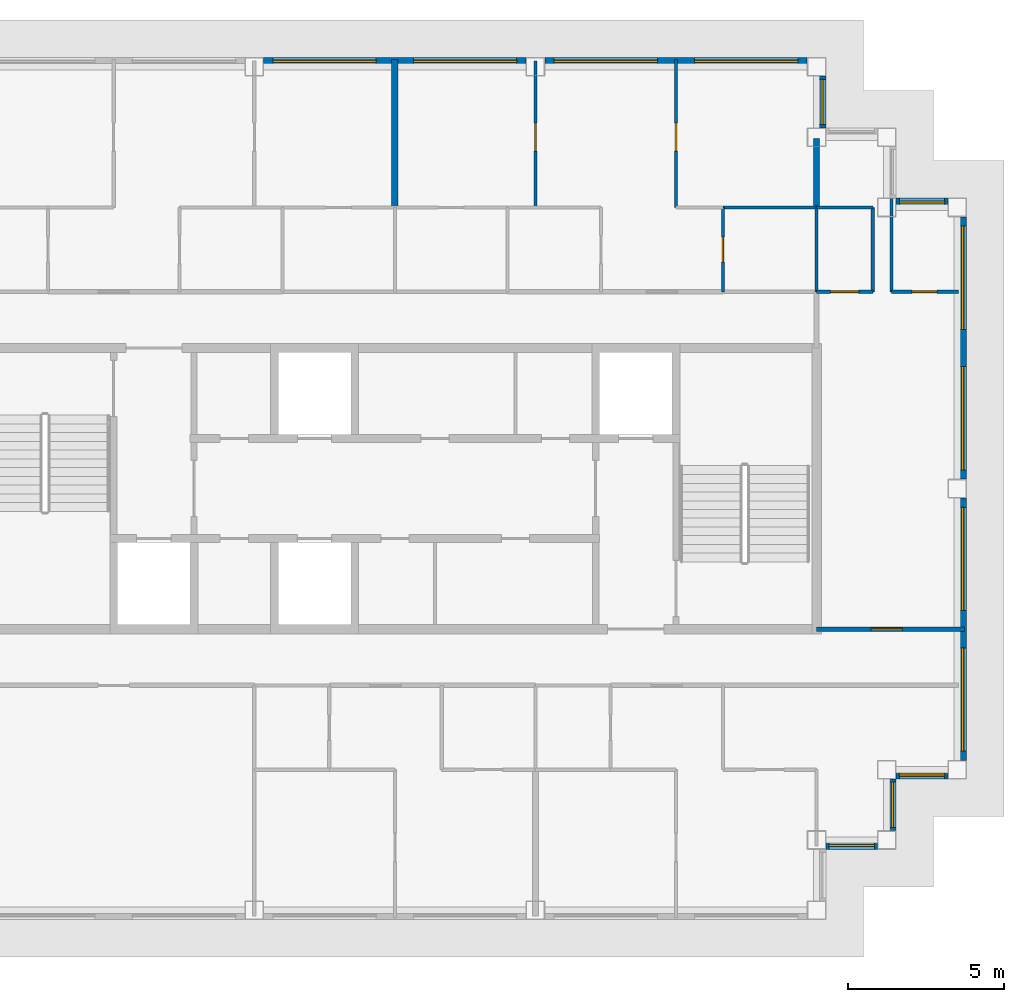
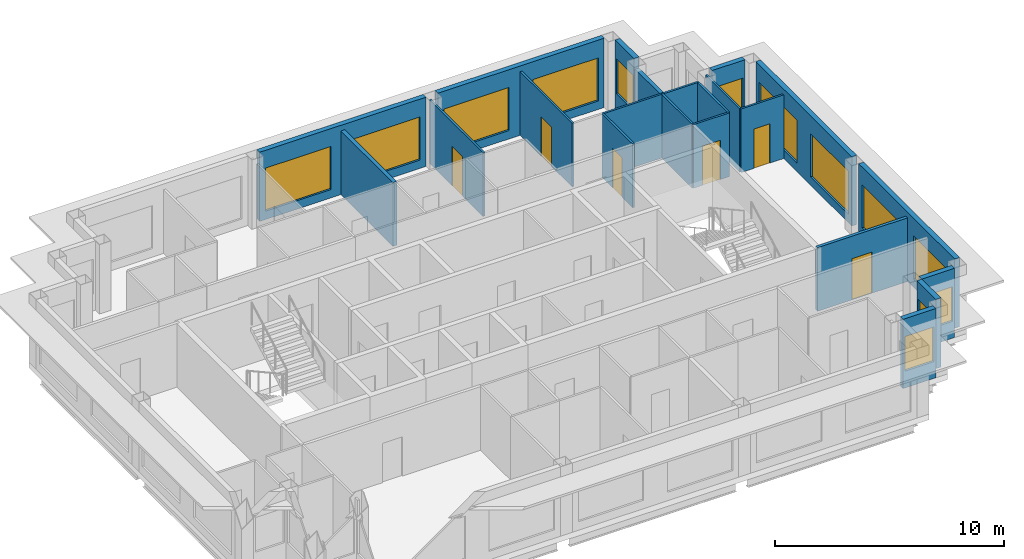
# One storey, part 5 of 11: 22 walls, 13 windows, 6 doors, 19 openings.
"""IFC4 building model written with IfcOpenShell, lengths in metres."""

from ifc_helpers import new_model, si_unit, direction, frame, frame_2d, origin, place, context, subcontext, project, spatial, rectangle, extrude, material, layer, layer_set, type_object, element, fill, save


model = new_model("IFC4")

# Units and contexts
model_context = context("Model", 3, precision=1e-05, world=origin(), true_north=direction((0.0, 1.0)))
body_context = subcontext(model_context, "Body", "Model", "MODEL_VIEW")
ifc_project = project(units=[si_unit("LENGTHUNIT", "METRE"), si_unit("AREAUNIT", "SQUARE_METRE"), si_unit("VOLUMEUNIT", "CUBIC_METRE"), si_unit("PLANEANGLEUNIT", "RADIAN"), si_unit("MASSUNIT", "GRAM", prefix="KILO")], contexts=[model_context])

# Site, building, storey
site_placement = place(None, origin())
site = spatial("IfcSite", under=ifc_project, at=site_placement, CompositionType="ELEMENT")
building_placement = place(site_placement, origin())
building = spatial("IfcBuilding", under=site, at=building_placement, Name="Caravel Reach Hotel and Residences", CompositionType="ELEMENT")
storey_placement = place(building_placement, frame((0.0, 0.0, 287.10009765625)))
storey = spatial("IfcBuildingStorey", under=building, at=storey_placement, Name="L73", CompositionType="ELEMENT", Elevation=287.10009765625)

# Wall, opening, door
ifc_material_1 = material(Name="Gypsum board on steel stud", Category="steel")
ifc_layer_1 = layer(ifc_material_1, 0.10009765625)
ifc_layer_set_1 = layer_set([ifc_layer_1], Name="Bathroom pod wall 100 mm")
wall_type_1 = type_object("IfcWallType", Name="Bathroom pod wall 100 mm", PredefinedType="PARTITIONING", material=ifc_layer_set_1)
wall_1_placement = place(storey_placement, frame((47.39990234375, 33.300048828125, 0.0), z_axis=(0.0, 0.0, 1.0), x_axis=(1.0, 0.0, 0.0)))
wall_1 = element("IfcWall", 1, at=wall_1_placement, inside=storey, type_object=wall_type_1, Name="L73 wall w057", PredefinedType="PARTITIONING", context=body_context, shape_type="SweptSolid", body=[
    extrude(rectangle(XDim=2.150146484375, YDim=0.10009765625, at=frame_2d((1.0751953125, 0.0))), origin(), (0.0, 0.0, 1.0), 3.39990234375),
])
opening_1_placement = place(wall_1_placement, frame((0.64990234375, 0.0, 0.0)))
opening_1 = element("IfcOpeningElement", 2, at=opening_1_placement, cuts=wall_1, Name="Opening D73-042", PredefinedType="OPENING", context=body_context, shape_type="SweptSolid", body=[
    extrude(rectangle(XDim=0.800048828125, YDim=2.10009765625, at=frame_2d((0.39990234375, 1.050048828125))), frame((0.0, 0.06005859375, 0.0), z_axis=(0.0, -1.0, 0.0), x_axis=(1.0, 0.0, 0.0)), (0.0, 0.0, 1.0), 0.1201171875),
])
ifc_material_2 = material(Name="Timber and steel door leaf", Category="steel")
door_type_1 = type_object("IfcDoorType", Name="Bathroom door 800 x 2100", OperationType="SINGLE_SWING_LEFT", PredefinedType="DOOR", material=ifc_material_2)
door_1_placement = place(opening_1_placement, origin())
door_1 = element("IfcDoor", 3, at=door_1_placement, inside=storey, type_object=door_type_1, Name="door D73-042", OperationType="SINGLE_SWING_RIGHT", OverallHeight=2.10009765625, OverallWidth=0.800048828125, PredefinedType="DOOR", context=body_context, shape_type="SweptSolid", body=[
    extrude(rectangle(XDim=0.800048828125, YDim=2.10009765625, at=frame_2d((0.39990234375, 1.050048828125))), frame((0.0, 0.02490234375, 0.0), z_axis=(0.0, -1.0, 0.0), x_axis=(1.0, 0.0, 0.0)), (0.0, 0.0, 1.0), 0.050048828125),
])
fill(opening_1, door_1)

# Wall
wall_2_placement = place(storey_placement, frame((42.0, 36.0, 0.0), z_axis=(0.0, 0.0, 1.0), x_axis=(1.0, 0.0, 0.0)))
element("IfcWall", 4, at=wall_2_placement, inside=storey, type_object=wall_type_1, Name="L73 wall w060", PredefinedType="PARTITIONING", context=body_context, shape_type="SweptSolid", body=[
    extrude(rectangle(XDim=3.0, YDim=0.10009765625, at=frame_2d((1.5, 0.0))), origin(), (0.0, 0.0, 1.0), 3.39990234375),
])

# Wall, opening, door
wall_3_placement = place(storey_placement, frame((42.0, 33.300048828125, 0.0), z_axis=(0.0, 0.0, 1.0), x_axis=(0.0, 1.0, 0.0)))
wall_3 = element("IfcWall", 5, at=wall_3_placement, inside=storey, type_object=wall_type_1, Name="L73 wall w072", PredefinedType="PARTITIONING", context=body_context, shape_type="SweptSolid", body=[
    extrude(rectangle(XDim=2.699951171875, YDim=0.10009765625, at=frame_2d((1.35009765625, 0.0))), origin(), (0.0, 0.0, 1.0), 3.39990234375),
])
opening_2_placement = place(wall_3_placement, frame((0.949951171875, 0.0, 0.0)))
opening_2 = element("IfcOpeningElement", 6, at=opening_2_placement, cuts=wall_3, Name="Opening D73-026", PredefinedType="OPENING", context=body_context, shape_type="SweptSolid", body=[
    extrude(rectangle(XDim=0.800048828125, YDim=2.10009765625, at=frame_2d((0.39990234375, 1.050048828125))), frame((0.0, 0.06005859375, 0.0), z_axis=(0.0, -1.0, 0.0), x_axis=(1.0, 0.0, 0.0)), (0.0, 0.0, 1.0), 0.1201171875),
])
door_2_placement = place(opening_2_placement, origin())
door_2 = element("IfcDoor", 7, at=door_2_placement, inside=storey, type_object=door_type_1, Name="door D73-026", OperationType="SINGLE_SWING_RIGHT", OverallHeight=2.10009765625, OverallWidth=0.800048828125, PredefinedType="DOOR", context=body_context, shape_type="SweptSolid", body=[
    extrude(rectangle(XDim=0.800048828125, YDim=2.10009765625, at=frame_2d((0.39990234375, 1.050048828125))), frame((0.0, 0.02490234375, 0.0), z_axis=(0.0, -1.0, 0.0), x_axis=(1.0, 0.0, 0.0)), (0.0, 0.0, 1.0), 0.050048828125),
])
fill(opening_2, door_2)

# Walls
wall_4_placement = place(storey_placement, frame((45.0, 33.300048828125, 0.0), z_axis=(0.0, 0.0, 1.0), x_axis=(0.0, 1.0, 0.0)))
element("IfcWall", 8, at=wall_4_placement, inside=storey, type_object=wall_type_1, Name="L73 wall w073", PredefinedType="PARTITIONING", context=body_context, shape_type="SweptSolid", body=[
    extrude(rectangle(XDim=2.699951171875, YDim=0.10009765625, at=frame_2d((1.35009765625, 0.0))), origin(), (0.0, 0.0, 1.0), 3.39990234375),
])
wall_5_placement = place(storey_placement, frame((47.39990234375, 33.300048828125, 0.0), z_axis=(0.0, 0.0, 1.0), x_axis=(0.0, 1.0, 0.0)))
element("IfcWall", 9, at=wall_5_placement, inside=storey, type_object=wall_type_1, Name="L73 wall w074", PredefinedType="PARTITIONING", context=body_context, shape_type="SweptSolid", body=[
    extrude(rectangle(XDim=3.0, YDim=0.10009765625, at=frame_2d((1.5, 0.0))), origin(), (0.0, 0.0, 1.0), 3.39990234375),
])

# Wall, opening, door
ifc_material_3 = material(Name="Gypsum board on steel stud, fire-rated", Category="steel")
ifc_layer_2 = layer(ifc_material_3, 0.14990234375)
ifc_layer_set_2 = layer_set([ifc_layer_2], Name="Corridor wall 150 mm EI 60")
wall_type_2 = type_object("IfcWallType", Name="Corridor wall 150 mm EI 60", PredefinedType="PARTITIONING", material=ifc_layer_set_2)
wall_6_placement = place(storey_placement, frame((45.0, 22.5, 0.0), z_axis=(0.0, 0.0, 1.0), x_axis=(1.0, 0.0, 0.0)))
wall_6 = element("IfcWall", 10, at=wall_6_placement, inside=storey, type_object=wall_type_2, Name="L73 wall w007", PredefinedType="PARTITIONING", context=body_context, shape_type="SweptSolid", body=[
    extrude(rectangle(XDim=4.739990234375, YDim=0.14990234375, at=frame_2d((2.3701171875, 0.0))), origin(), (0.0, 0.0, 1.0), 3.39990234375),
])
opening_3_placement = place(wall_6_placement, frame((1.75, 0.0, 0.0)))
opening_3 = element("IfcOpeningElement", 11, at=opening_3_placement, cuts=wall_6, Name="Opening D73-041", PredefinedType="OPENING", context=body_context, shape_type="SweptSolid", body=[
    extrude(rectangle(XDim=1.0, YDim=2.199951171875, at=frame_2d((0.5, 1.10009765625))), frame((0.0, 0.0849609375, 0.0), z_axis=(0.0, -1.0, 0.0), x_axis=(1.0, 0.0, 0.0)), (0.0, 0.0, 1.0), 0.169921875),
])
ifc_material_4 = material(Name="Steel fire door leaf", Category="steel")
door_type_2 = type_object("IfcDoorType", Name="Flat entrance door 1000 x 2200 EI 60", OperationType="SINGLE_SWING_LEFT", PredefinedType="DOOR", material=ifc_material_4)
door_3_placement = place(opening_3_placement, origin())
door_3 = element("IfcDoor", 12, at=door_3_placement, inside=storey, type_object=door_type_2, Name="door D73-041", OperationType="SINGLE_SWING_RIGHT", OverallHeight=2.199951171875, OverallWidth=1.0, PredefinedType="DOOR", context=body_context, shape_type="SweptSolid", body=[
    extrude(rectangle(XDim=1.0, YDim=2.199951171875, at=frame_2d((0.5, 1.10009765625))), frame((0.0, 0.02490234375, 0.0), z_axis=(0.0, -1.0, 0.0), x_axis=(1.0, 0.0, 0.0)), (0.0, 0.0, 1.0), 0.050048828125),
])
fill(opening_3, door_3)

# Wall, opening, window
ifc_material_5 = material(Name="Insulated rainscreen wall, aluminium cladding", Category="aluminium")
ifc_layer_3 = layer(ifc_material_5, 0.25)
ifc_layer_set_3 = layer_set([ifc_layer_3], Name="EW1 Tower rainscreen wall")
wall_type_3 = type_object("IfcWallType", Name="EW1 Tower rainscreen wall", PredefinedType="SOLIDWALL", material=ifc_layer_set_3)
wall_7_placement = place(storey_placement, frame((45.300048828125, 15.574951171875, 0.0), z_axis=(0.0, 0.0, 1.0), x_axis=(1.0, 0.0, 0.0)))
wall_7 = element("IfcWall", 13, at=wall_7_placement, inside=storey, type_object=wall_type_3, Name="External wall L73 S2.1", PredefinedType="SOLIDWALL", context=body_context, shape_type="SweptSolid", body=[
    extrude(rectangle(XDim=1.64990234375, YDim=0.25, at=frame_2d((0.824951171875, 0.0))), origin(), (0.0, 0.0, 1.0), 3.699951171875),
])
opening_4_placement = place(wall_7_placement, frame((0.10009765625, 0.0, 0.89990234375)))
opening_4 = element("IfcOpeningElement", 14, at=opening_4_placement, cuts=wall_7, Name="Opening WN25", PredefinedType="OPENING", context=body_context, shape_type="SweptSolid", body=[
    extrude(rectangle(XDim=1.449951171875, YDim=1.85009765625, at=frame_2d((0.72509765625, 0.925048828125))), frame((0.0, 0.135009765625, 0.0), z_axis=(0.0, -1.0, 0.0), x_axis=(1.0, 0.0, 0.0)), (0.0, 0.0, 1.0), 0.27001953125),
])
ifc_material_6 = material(Name="Dark low-e glazing in black aluminium frame", Category="aluminium")
window_type_1 = type_object("IfcWindowType", Name="Residence bedroom window 1450 x 1850", PartitioningType="SINGLE_PANEL", PredefinedType="WINDOW", material=ifc_material_6)
window_1_placement = place(opening_4_placement, origin())
window_1 = element("IfcWindow", 15, at=window_1_placement, inside=storey, type_object=window_type_1, Name="Window L73 S2.1.1", OverallHeight=1.85009765625, OverallWidth=1.449951171875, PartitioningType="SINGLE_PANEL", PredefinedType="WINDOW", context=body_context, shape_type="SweptSolid", body=[
    extrude(rectangle(XDim=1.449951171875, YDim=1.85009765625, at=frame_2d((0.72509765625, 0.925048828125))), frame((0.0, 0.030029296875, 0.0), z_axis=(0.0, -1.0, 0.0), x_axis=(1.0, 0.0, 0.0)), (0.0, 0.0, 1.0), 0.06005859375),
])
fill(opening_4, window_1)

wall_8_placement = place(storey_placement, frame((47.425048828125, 16.050048828125, 0.0), z_axis=(0.0, 0.0, 1.0), x_axis=(0.0, 1.0, 0.0)))
wall_8 = element("IfcWall", 16, at=wall_8_placement, inside=storey, type_object=wall_type_3, Name="External wall L73 E3.1", PredefinedType="SOLIDWALL", context=body_context, shape_type="SweptSolid", body=[
    extrude(rectangle(XDim=1.64990234375, YDim=0.25, at=frame_2d((0.824951171875, 0.0))), origin(), (0.0, 0.0, 1.0), 3.699951171875),
])
opening_5_placement = place(wall_8_placement, frame((0.10009765625, 0.0, 0.89990234375)))
opening_5 = element("IfcOpeningElement", 17, at=opening_5_placement, cuts=wall_8, Name="Opening WN25", PredefinedType="OPENING", context=body_context, shape_type="SweptSolid", body=[
    extrude(rectangle(XDim=1.449951171875, YDim=1.85009765625, at=frame_2d((0.72509765625, 0.925048828125))), frame((0.0, 0.135009765625, 0.0), z_axis=(0.0, -1.0, 0.0), x_axis=(1.0, 0.0, 0.0)), (0.0, 0.0, 1.0), 0.27001953125),
])
window_2_placement = place(opening_5_placement, origin())
window_2 = element("IfcWindow", 18, at=window_2_placement, inside=storey, type_object=window_type_1, Name="Window L73 E3.1.1", OverallHeight=1.85009765625, OverallWidth=1.449951171875, PartitioningType="SINGLE_PANEL", PredefinedType="WINDOW", context=body_context, shape_type="SweptSolid", body=[
    extrude(rectangle(XDim=1.449951171875, YDim=1.85009765625, at=frame_2d((0.72509765625, 0.925048828125))), frame((0.0, 0.030029296875, 0.0), z_axis=(0.0, -1.0, 0.0), x_axis=(1.0, 0.0, 0.0)), (0.0, 0.0, 1.0), 0.06005859375),
])
fill(opening_5, window_2)

wall_9_placement = place(storey_placement, frame((47.550048828125, 17.824951171875, 0.0), z_axis=(0.0, 0.0, 1.0), x_axis=(1.0, 0.0, 0.0)))
wall_9 = element("IfcWall", 19, at=wall_9_placement, inside=storey, type_object=wall_type_3, Name="External wall L73 S4.1", PredefinedType="SOLIDWALL", context=body_context, shape_type="SweptSolid", body=[
    extrude(rectangle(XDim=1.64990234375, YDim=0.25, at=frame_2d((0.824951171875, 0.0))), origin(), (0.0, 0.0, 1.0), 3.699951171875),
])
opening_6_placement = place(wall_9_placement, frame((0.10009765625, 0.0, 0.89990234375)))
opening_6 = element("IfcOpeningElement", 20, at=opening_6_placement, cuts=wall_9, Name="Opening WN25", PredefinedType="OPENING", context=body_context, shape_type="SweptSolid", body=[
    extrude(rectangle(XDim=1.449951171875, YDim=1.85009765625, at=frame_2d((0.72509765625, 0.925048828125))), frame((0.0, 0.135009765625, 0.0), z_axis=(0.0, -1.0, 0.0), x_axis=(1.0, 0.0, 0.0)), (0.0, 0.0, 1.0), 0.27001953125),
])
window_3_placement = place(opening_6_placement, origin())
window_3 = element("IfcWindow", 21, at=window_3_placement, inside=storey, type_object=window_type_1, Name="Window L73 S4.1.1", OverallHeight=1.85009765625, OverallWidth=1.449951171875, PartitioningType="SINGLE_PANEL", PredefinedType="WINDOW", context=body_context, shape_type="SweptSolid", body=[
    extrude(rectangle(XDim=1.449951171875, YDim=1.85009765625, at=frame_2d((0.72509765625, 0.925048828125))), frame((0.0, 0.030029296875, 0.0), z_axis=(0.0, -1.0, 0.0), x_axis=(1.0, 0.0, 0.0)), (0.0, 0.0, 1.0), 0.06005859375),
])
fill(opening_6, window_3)

# Wall, openings, windows
wall_10_placement = place(storey_placement, frame((49.675048828125, 18.300048828125, 0.0), z_axis=(0.0, 0.0, 1.0), x_axis=(0.0, 1.0, 0.0)))
wall_10 = element("IfcWall", 22, at=wall_10_placement, inside=storey, type_object=wall_type_3, Name="External wall L73 E5.1", PredefinedType="SOLIDWALL", context=body_context, shape_type="SweptSolid", body=[
    extrude(rectangle(XDim=8.39990234375, YDim=0.25, at=frame_2d((4.199951171875, 0.0))), origin(), (0.0, 0.0, 1.0), 3.699951171875),
])
opening_7_placement = place(wall_10_placement, frame((0.300048828125, 0.0, 0.449951171875)))
opening_7 = element("IfcOpeningElement", 23, at=opening_7_placement, cuts=wall_10, Name="Opening WN15", PredefinedType="OPENING", context=body_context, shape_type="SweptSolid", body=[
    extrude(rectangle(XDim=3.300048828125, YDim=2.300048828125, at=frame_2d((1.64990234375, 1.14990234375))), frame((0.0, 0.135009765625, 0.0), z_axis=(0.0, -1.0, 0.0), x_axis=(1.0, 0.0, 0.0)), (0.0, 0.0, 1.0), 0.27001953125),
])
opening_8_placement = place(wall_10_placement, frame((4.800048828125, 0.0, 0.449951171875)))
opening_8 = element("IfcOpeningElement", 24, at=opening_8_placement, cuts=wall_10, Name="Opening WN15", PredefinedType="OPENING", context=body_context, shape_type="SweptSolid", body=[
    extrude(rectangle(XDim=3.300048828125, YDim=2.300048828125, at=frame_2d((1.64990234375, 1.14990234375))), frame((0.0, 0.135009765625, 0.0), z_axis=(0.0, -1.0, 0.0), x_axis=(1.0, 0.0, 0.0)), (0.0, 0.0, 1.0), 0.27001953125),
])
ifc_material_7 = material(Name="Dark low-e glazing in black aluminium frame", Category="aluminium")
window_type_2 = type_object("IfcWindowType", Name="Residence living window 3300 x 2300", PartitioningType="SINGLE_PANEL", PredefinedType="WINDOW", material=ifc_material_7)
window_4_placement = place(opening_7_placement, origin())
window_4 = element("IfcWindow", 25, at=window_4_placement, inside=storey, type_object=window_type_2, Name="Window L73 E5.1.1", OverallHeight=2.300048828125, OverallWidth=3.300048828125, PartitioningType="SINGLE_PANEL", PredefinedType="WINDOW", context=body_context, shape_type="SweptSolid", body=[
    extrude(rectangle(XDim=3.300048828125, YDim=2.300048828125, at=frame_2d((1.64990234375, 1.14990234375))), frame((0.0, 0.030029296875, 0.0), z_axis=(0.0, -1.0, 0.0), x_axis=(1.0, 0.0, 0.0)), (0.0, 0.0, 1.0), 0.06005859375),
])
fill(opening_7, window_4)
window_5_placement = place(opening_8_placement, origin())
window_5 = element("IfcWindow", 26, at=window_5_placement, inside=storey, type_object=window_type_2, Name="Window L73 E5.1.2", OverallHeight=2.300048828125, OverallWidth=3.300048828125, PartitioningType="SINGLE_PANEL", PredefinedType="WINDOW", context=body_context, shape_type="SweptSolid", body=[
    extrude(rectangle(XDim=3.300048828125, YDim=2.300048828125, at=frame_2d((1.64990234375, 1.14990234375))), frame((0.0, 0.030029296875, 0.0), z_axis=(0.0, -1.0, 0.0), x_axis=(1.0, 0.0, 0.0)), (0.0, 0.0, 1.0), 0.06005859375),
])
fill(opening_8, window_5)

wall_11_placement = place(storey_placement, frame((49.675048828125, 27.300048828125, 0.0), z_axis=(0.0, 0.0, 1.0), x_axis=(0.0, 1.0, 0.0)))
wall_11 = element("IfcWall", 27, at=wall_11_placement, inside=storey, type_object=wall_type_3, Name="External wall L73 E5.2", PredefinedType="SOLIDWALL", context=body_context, shape_type="SweptSolid", body=[
    extrude(rectangle(XDim=8.39990234375, YDim=0.25, at=frame_2d((4.199951171875, 0.0))), origin(), (0.0, 0.0, 1.0), 3.699951171875),
])
opening_9_placement = place(wall_11_placement, frame((0.300048828125, 0.0, 0.449951171875)))
opening_9 = element("IfcOpeningElement", 28, at=opening_9_placement, cuts=wall_11, Name="Opening WN15", PredefinedType="OPENING", context=body_context, shape_type="SweptSolid", body=[
    extrude(rectangle(XDim=3.300048828125, YDim=2.300048828125, at=frame_2d((1.64990234375, 1.14990234375))), frame((0.0, 0.135009765625, 0.0), z_axis=(0.0, -1.0, 0.0), x_axis=(1.0, 0.0, 0.0)), (0.0, 0.0, 1.0), 0.27001953125),
])
opening_10_placement = place(wall_11_placement, frame((4.800048828125, 0.0, 0.449951171875)))
opening_10 = element("IfcOpeningElement", 29, at=opening_10_placement, cuts=wall_11, Name="Opening WN15", PredefinedType="OPENING", context=body_context, shape_type="SweptSolid", body=[
    extrude(rectangle(XDim=3.300048828125, YDim=2.300048828125, at=frame_2d((1.64990234375, 1.14990234375))), frame((0.0, 0.135009765625, 0.0), z_axis=(0.0, -1.0, 0.0), x_axis=(1.0, 0.0, 0.0)), (0.0, 0.0, 1.0), 0.27001953125),
])
window_6_placement = place(opening_9_placement, origin())
window_6 = element("IfcWindow", 30, at=window_6_placement, inside=storey, type_object=window_type_2, Name="Window L73 E5.2.1", OverallHeight=2.300048828125, OverallWidth=3.300048828125, PartitioningType="SINGLE_PANEL", PredefinedType="WINDOW", context=body_context, shape_type="SweptSolid", body=[
    extrude(rectangle(XDim=3.300048828125, YDim=2.300048828125, at=frame_2d((1.64990234375, 1.14990234375))), frame((0.0, 0.030029296875, 0.0), z_axis=(0.0, -1.0, 0.0), x_axis=(1.0, 0.0, 0.0)), (0.0, 0.0, 1.0), 0.06005859375),
])
fill(opening_9, window_6)
window_7_placement = place(opening_10_placement, origin())
window_7 = element("IfcWindow", 31, at=window_7_placement, inside=storey, type_object=window_type_2, Name="Window L73 E5.2.2", OverallHeight=2.300048828125, OverallWidth=3.300048828125, PartitioningType="SINGLE_PANEL", PredefinedType="WINDOW", context=body_context, shape_type="SweptSolid", body=[
    extrude(rectangle(XDim=3.300048828125, YDim=2.300048828125, at=frame_2d((1.64990234375, 1.14990234375))), frame((0.0, 0.030029296875, 0.0), z_axis=(0.0, -1.0, 0.0), x_axis=(1.0, 0.0, 0.0)), (0.0, 0.0, 1.0), 0.06005859375),
])
fill(opening_10, window_7)

# Wall, opening, window
wall_12_placement = place(storey_placement, frame((49.199951171875, 36.175048828125, 0.0), z_axis=(0.0, 0.0, 1.0), x_axis=(-1.0, 0.0, 0.0)))
wall_12 = element("IfcWall", 32, at=wall_12_placement, inside=storey, type_object=wall_type_3, Name="External wall L73 N6.1", PredefinedType="SOLIDWALL", context=body_context, shape_type="SweptSolid", body=[
    extrude(rectangle(XDim=1.64990234375, YDim=0.25, at=frame_2d((0.824951171875, 0.0))), origin(), (0.0, 0.0, 1.0), 3.699951171875),
])
opening_11_placement = place(wall_12_placement, frame((0.10009765625, 0.0, 0.89990234375)))
opening_11 = element("IfcOpeningElement", 33, at=opening_11_placement, cuts=wall_12, Name="Opening WN25", PredefinedType="OPENING", context=body_context, shape_type="SweptSolid", body=[
    extrude(rectangle(XDim=1.449951171875, YDim=1.85009765625, at=frame_2d((0.72509765625, 0.925048828125))), frame((0.0, 0.135009765625, 0.0), z_axis=(0.0, -1.0, 0.0), x_axis=(1.0, 0.0, 0.0)), (0.0, 0.0, 1.0), 0.27001953125),
])
window_8_placement = place(opening_11_placement, origin())
window_8 = element("IfcWindow", 34, at=window_8_placement, inside=storey, type_object=window_type_1, Name="Window L73 N6.1.1", OverallHeight=1.85009765625, OverallWidth=1.449951171875, PartitioningType="SINGLE_PANEL", PredefinedType="WINDOW", context=body_context, shape_type="SweptSolid", body=[
    extrude(rectangle(XDim=1.449951171875, YDim=1.85009765625, at=frame_2d((0.72509765625, 0.925048828125))), frame((0.0, 0.030029296875, 0.0), z_axis=(0.0, -1.0, 0.0), x_axis=(1.0, 0.0, 0.0)), (0.0, 0.0, 1.0), 0.06005859375),
])
fill(opening_11, window_8)

wall_13_placement = place(storey_placement, frame((45.175048828125, 38.550048828125, 0.0), z_axis=(0.0, 0.0, 1.0), x_axis=(0.0, 1.0, 0.0)))
wall_13 = element("IfcWall", 35, at=wall_13_placement, inside=storey, type_object=wall_type_3, Name="External wall L73 E9.1", PredefinedType="SOLIDWALL", context=body_context, shape_type="SweptSolid", body=[
    extrude(rectangle(XDim=1.64990234375, YDim=0.25, at=frame_2d((0.824951171875, 0.0))), origin(), (0.0, 0.0, 1.0), 3.699951171875),
])
opening_12_placement = place(wall_13_placement, frame((0.10009765625, 0.0, 0.89990234375)))
opening_12 = element("IfcOpeningElement", 36, at=opening_12_placement, cuts=wall_13, Name="Opening WN25", PredefinedType="OPENING", context=body_context, shape_type="SweptSolid", body=[
    extrude(rectangle(XDim=1.449951171875, YDim=1.85009765625, at=frame_2d((0.72509765625, 0.925048828125))), frame((0.0, 0.135009765625, 0.0), z_axis=(0.0, -1.0, 0.0), x_axis=(1.0, 0.0, 0.0)), (0.0, 0.0, 1.0), 0.27001953125),
])
window_9_placement = place(opening_12_placement, origin())
window_9 = element("IfcWindow", 37, at=window_9_placement, inside=storey, type_object=window_type_1, Name="Window L73 E9.1.1", OverallHeight=1.85009765625, OverallWidth=1.449951171875, PartitioningType="SINGLE_PANEL", PredefinedType="WINDOW", context=body_context, shape_type="SweptSolid", body=[
    extrude(rectangle(XDim=1.449951171875, YDim=1.85009765625, at=frame_2d((0.72509765625, 0.925048828125))), frame((0.0, 0.030029296875, 0.0), z_axis=(0.0, -1.0, 0.0), x_axis=(1.0, 0.0, 0.0)), (0.0, 0.0, 1.0), 0.06005859375),
])
fill(opening_12, window_9)

# Wall, openings, windows
wall_14_placement = place(storey_placement, frame((44.699951171875, 40.675048828125, 0.0), z_axis=(0.0, 0.0, 1.0), x_axis=(-1.0, 0.0, 0.0)))
wall_14 = element("IfcWall", 38, at=wall_14_placement, inside=storey, type_object=wall_type_3, Name="External wall L73 N10.1", PredefinedType="SOLIDWALL", context=body_context, shape_type="SweptSolid", body=[
    extrude(rectangle(XDim=8.39990234375, YDim=0.25, at=frame_2d((4.199951171875, 0.0))), origin(), (0.0, 0.0, 1.0), 3.699951171875),
])
opening_13_placement = place(wall_14_placement, frame((0.300048828125, 0.0, 0.449951171875)))
opening_13 = element("IfcOpeningElement", 39, at=opening_13_placement, cuts=wall_14, Name="Opening WN15", PredefinedType="OPENING", context=body_context, shape_type="SweptSolid", body=[
    extrude(rectangle(XDim=3.300048828125, YDim=2.300048828125, at=frame_2d((1.64990234375, 1.14990234375))), frame((0.0, 0.135009765625, 0.0), z_axis=(0.0, -1.0, 0.0), x_axis=(1.0, 0.0, 0.0)), (0.0, 0.0, 1.0), 0.27001953125),
])
opening_14_placement = place(wall_14_placement, frame((4.800048828125, 0.0, 0.449951171875)))
opening_14 = element("IfcOpeningElement", 40, at=opening_14_placement, cuts=wall_14, Name="Opening WN15", PredefinedType="OPENING", context=body_context, shape_type="SweptSolid", body=[
    extrude(rectangle(XDim=3.300048828125, YDim=2.300048828125, at=frame_2d((1.64990234375, 1.14990234375))), frame((0.0, 0.135009765625, 0.0), z_axis=(0.0, -1.0, 0.0), x_axis=(1.0, 0.0, 0.0)), (0.0, 0.0, 1.0), 0.27001953125),
])
window_10_placement = place(opening_13_placement, origin())
window_10 = element("IfcWindow", 41, at=window_10_placement, inside=storey, type_object=window_type_2, Name="Window L73 N10.1.1", OverallHeight=2.300048828125, OverallWidth=3.300048828125, PartitioningType="SINGLE_PANEL", PredefinedType="WINDOW", context=body_context, shape_type="SweptSolid", body=[
    extrude(rectangle(XDim=3.300048828125, YDim=2.300048828125, at=frame_2d((1.64990234375, 1.14990234375))), frame((0.0, 0.030029296875, 0.0), z_axis=(0.0, -1.0, 0.0), x_axis=(1.0, 0.0, 0.0)), (0.0, 0.0, 1.0), 0.06005859375),
])
fill(opening_13, window_10)
window_11_placement = place(opening_14_placement, origin())
window_11 = element("IfcWindow", 42, at=window_11_placement, inside=storey, type_object=window_type_2, Name="Window L73 N10.1.2", OverallHeight=2.300048828125, OverallWidth=3.300048828125, PartitioningType="SINGLE_PANEL", PredefinedType="WINDOW", context=body_context, shape_type="SweptSolid", body=[
    extrude(rectangle(XDim=3.300048828125, YDim=2.300048828125, at=frame_2d((1.64990234375, 1.14990234375))), frame((0.0, 0.030029296875, 0.0), z_axis=(0.0, -1.0, 0.0), x_axis=(1.0, 0.0, 0.0)), (0.0, 0.0, 1.0), 0.06005859375),
])
fill(opening_14, window_11)

wall_15_placement = place(storey_placement, frame((35.699951171875, 40.675048828125, 0.0), z_axis=(0.0, 0.0, 1.0), x_axis=(-1.0, 0.0, 0.0)))
wall_15 = element("IfcWall", 43, at=wall_15_placement, inside=storey, type_object=wall_type_3, Name="External wall L73 N10.2", PredefinedType="SOLIDWALL", context=body_context, shape_type="SweptSolid", body=[
    extrude(rectangle(XDim=8.39990234375, YDim=0.25, at=frame_2d((4.199951171875, 0.0))), origin(), (0.0, 0.0, 1.0), 3.699951171875),
])
opening_15_placement = place(wall_15_placement, frame((0.300048828125, 0.0, 0.449951171875)))
opening_15 = element("IfcOpeningElement", 44, at=opening_15_placement, cuts=wall_15, Name="Opening WN15", PredefinedType="OPENING", context=body_context, shape_type="SweptSolid", body=[
    extrude(rectangle(XDim=3.300048828125, YDim=2.300048828125, at=frame_2d((1.64990234375, 1.14990234375))), frame((0.0, 0.135009765625, 0.0), z_axis=(0.0, -1.0, 0.0), x_axis=(1.0, 0.0, 0.0)), (0.0, 0.0, 1.0), 0.27001953125),
])
opening_16_placement = place(wall_15_placement, frame((4.800048828125, 0.0, 0.449951171875)))
opening_16 = element("IfcOpeningElement", 45, at=opening_16_placement, cuts=wall_15, Name="Opening WN15", PredefinedType="OPENING", context=body_context, shape_type="SweptSolid", body=[
    extrude(rectangle(XDim=3.300048828125, YDim=2.300048828125, at=frame_2d((1.64990234375, 1.14990234375))), frame((0.0, 0.135009765625, 0.0), z_axis=(0.0, -1.0, 0.0), x_axis=(1.0, 0.0, 0.0)), (0.0, 0.0, 1.0), 0.27001953125),
])
window_12_placement = place(opening_15_placement, origin())
window_12 = element("IfcWindow", 46, at=window_12_placement, inside=storey, type_object=window_type_2, Name="Window L73 N10.2.1", OverallHeight=2.300048828125, OverallWidth=3.300048828125, PartitioningType="SINGLE_PANEL", PredefinedType="WINDOW", context=body_context, shape_type="SweptSolid", body=[
    extrude(rectangle(XDim=3.300048828125, YDim=2.300048828125, at=frame_2d((1.64990234375, 1.14990234375))), frame((0.0, 0.030029296875, 0.0), z_axis=(0.0, -1.0, 0.0), x_axis=(1.0, 0.0, 0.0)), (0.0, 0.0, 1.0), 0.06005859375),
])
fill(opening_15, window_12)
window_13_placement = place(opening_16_placement, origin())
window_13 = element("IfcWindow", 47, at=window_13_placement, inside=storey, type_object=window_type_2, Name="Window L73 N10.2.2", OverallHeight=2.300048828125, OverallWidth=3.300048828125, PartitioningType="SINGLE_PANEL", PredefinedType="WINDOW", context=body_context, shape_type="SweptSolid", body=[
    extrude(rectangle(XDim=3.300048828125, YDim=2.300048828125, at=frame_2d((1.64990234375, 1.14990234375))), frame((0.0, 0.030029296875, 0.0), z_axis=(0.0, -1.0, 0.0), x_axis=(1.0, 0.0, 0.0)), (0.0, 0.0, 1.0), 0.06005859375),
])
fill(opening_16, window_13)

# Wall, opening, door
ifc_material_8 = material(Name="Gypsum board on steel stud", Category="steel")
ifc_layer_4 = layer(ifc_material_8, 0.10009765625)
ifc_layer_set_4 = layer_set([ifc_layer_4], Name="Partition 100 mm")
wall_type_4 = type_object("IfcWallType", Name="Partition 100 mm", PredefinedType="PARTITIONING", material=ifc_layer_set_4)
wall_16_placement = place(storey_placement, frame((45.0, 33.300048828125, 0.0), z_axis=(0.0, 0.0, 1.0), x_axis=(1.0, 0.0, 0.0)))
wall_16 = element("IfcWall", 48, at=wall_16_placement, inside=storey, type_object=wall_type_4, Name="L73 wall w022", PredefinedType="PARTITIONING", context=body_context, shape_type="SweptSolid", body=[
    extrude(rectangle(XDim=1.800048828125, YDim=0.10009765625, at=frame_2d((0.89990234375, 0.0))), origin(), (0.0, 0.0, 1.0), 3.39990234375),
])
opening_17_placement = place(wall_16_placement, frame((0.449951171875, 0.0, 0.0)))
opening_17 = element("IfcOpeningElement", 49, at=opening_17_placement, cuts=wall_16, Name="Opening D73-043", PredefinedType="OPENING", context=body_context, shape_type="SweptSolid", body=[
    extrude(rectangle(XDim=0.89990234375, YDim=2.10009765625, at=frame_2d((0.449951171875, 1.050048828125))), frame((0.0, 0.06005859375, 0.0), z_axis=(0.0, -1.0, 0.0), x_axis=(1.0, 0.0, 0.0)), (0.0, 0.0, 1.0), 0.1201171875),
])
ifc_material_9 = material(Name="Timber and steel door leaf", Category="steel")
door_type_3 = type_object("IfcDoorType", Name="Door 900 x 2100 timber", OperationType="SINGLE_SWING_LEFT", PredefinedType="DOOR", material=ifc_material_9)
door_4_placement = place(opening_17_placement, origin())
door_4 = element("IfcDoor", 50, at=door_4_placement, inside=storey, type_object=door_type_3, Name="door D73-043", OperationType="SINGLE_SWING_RIGHT", OverallHeight=2.10009765625, OverallWidth=0.89990234375, PredefinedType="DOOR", context=body_context, shape_type="SweptSolid", body=[
    extrude(rectangle(XDim=0.89990234375, YDim=2.10009765625, at=frame_2d((0.449951171875, 1.050048828125))), frame((0.0, 0.02490234375, 0.0), z_axis=(0.0, -1.0, 0.0), x_axis=(1.0, 0.0, 0.0)), (0.0, 0.0, 1.0), 0.050048828125),
])
fill(opening_17, door_4)

# Wall
wall_17_placement = place(storey_placement, frame((45.0, 36.0, 0.0), z_axis=(0.0, 0.0, 1.0), x_axis=(1.0, 0.0, 0.0)))
element("IfcWall", 51, at=wall_17_placement, inside=storey, type_object=wall_type_4, Name="L73 wall w029", PredefinedType="PARTITIONING", context=body_context, shape_type="SweptSolid", body=[
    extrude(rectangle(XDim=1.800048828125, YDim=0.10009765625, at=frame_2d((0.89990234375, 0.0))), origin(), (0.0, 0.0, 1.0), 3.39990234375),
])

# Wall, opening, door
wall_18_placement = place(storey_placement, frame((36.0, 36.0, 0.0), z_axis=(0.0, 0.0, 1.0), x_axis=(0.0, 1.0, 0.0)))
wall_18 = element("IfcWall", 52, at=wall_18_placement, inside=storey, type_object=wall_type_4, Name="L73 wall w038", PredefinedType="PARTITIONING", context=body_context, shape_type="SweptSolid", body=[
    extrude(rectangle(XDim=4.68994140625, YDim=0.10009765625, at=frame_2d((2.344970703125, 0.0))), origin(), (0.0, 0.0, 1.0), 3.39990234375),
])
opening_18_placement = place(wall_18_placement, frame((1.800048828125, 0.0, 0.0)))
opening_18 = element("IfcOpeningElement", 53, at=opening_18_placement, cuts=wall_18, Name="Opening D73-027", PredefinedType="OPENING", context=body_context, shape_type="SweptSolid", body=[
    extrude(rectangle(XDim=0.89990234375, YDim=2.10009765625, at=frame_2d((0.449951171875, 1.050048828125))), frame((0.0, 0.06005859375, 0.0), z_axis=(0.0, -1.0, 0.0), x_axis=(1.0, 0.0, 0.0)), (0.0, 0.0, 1.0), 0.1201171875),
])
door_5_placement = place(opening_18_placement, origin())
door_5 = element("IfcDoor", 54, at=door_5_placement, inside=storey, type_object=door_type_3, Name="door D73-027", OperationType="SINGLE_SWING_LEFT", OverallHeight=2.10009765625, OverallWidth=0.89990234375, PredefinedType="DOOR", context=body_context, shape_type="SweptSolid", body=[
    extrude(rectangle(XDim=0.89990234375, YDim=2.10009765625, at=frame_2d((0.449951171875, 1.050048828125))), frame((0.0, 0.02490234375, 0.0), z_axis=(0.0, -1.0, 0.0), x_axis=(1.0, 0.0, 0.0)), (0.0, 0.0, 1.0), 0.050048828125),
])
fill(opening_18, door_5)

wall_19_placement = place(storey_placement, frame((40.5, 36.0, 0.0), z_axis=(0.0, 0.0, 1.0), x_axis=(0.0, 1.0, 0.0)))
wall_19 = element("IfcWall", 55, at=wall_19_placement, inside=storey, type_object=wall_type_4, Name="L73 wall w040", PredefinedType="PARTITIONING", context=body_context, shape_type="SweptSolid", body=[
    extrude(rectangle(XDim=4.739990234375, YDim=0.10009765625, at=frame_2d((2.3701171875, 0.0))), origin(), (0.0, 0.0, 1.0), 3.39990234375),
])
opening_19_placement = place(wall_19_placement, frame((1.800048828125, 0.0, 0.0)))
opening_19 = element("IfcOpeningElement", 56, at=opening_19_placement, cuts=wall_19, Name="Opening D73-028", PredefinedType="OPENING", context=body_context, shape_type="SweptSolid", body=[
    extrude(rectangle(XDim=0.89990234375, YDim=2.10009765625, at=frame_2d((0.449951171875, 1.050048828125))), frame((0.0, 0.06005859375, 0.0), z_axis=(0.0, -1.0, 0.0), x_axis=(1.0, 0.0, 0.0)), (0.0, 0.0, 1.0), 0.1201171875),
])
door_6_placement = place(opening_19_placement, origin())
door_6 = element("IfcDoor", 57, at=door_6_placement, inside=storey, type_object=door_type_3, Name="door D73-028", OperationType="SINGLE_SWING_LEFT", OverallHeight=2.10009765625, OverallWidth=0.89990234375, PredefinedType="DOOR", context=body_context, shape_type="SweptSolid", body=[
    extrude(rectangle(XDim=0.89990234375, YDim=2.10009765625, at=frame_2d((0.449951171875, 1.050048828125))), frame((0.0, 0.02490234375, 0.0), z_axis=(0.0, -1.0, 0.0), x_axis=(1.0, 0.0, 0.0)), (0.0, 0.0, 1.0), 0.050048828125),
])
fill(opening_19, door_6)

# Walls
wall_20_placement = place(storey_placement, frame((46.800048828125, 33.300048828125, 0.0), z_axis=(0.0, 0.0, 1.0), x_axis=(0.0, 1.0, 0.0)))
element("IfcWall", 58, at=wall_20_placement, inside=storey, type_object=wall_type_4, Name="L73 wall w044", PredefinedType="PARTITIONING", context=body_context, shape_type="SweptSolid", body=[
    extrude(rectangle(XDim=2.699951171875, YDim=0.10009765625, at=frame_2d((1.35009765625, 0.0))), origin(), (0.0, 0.0, 1.0), 3.39990234375),
])
ifc_material_10 = material(Name="Autoclaved aerated block wall")
ifc_layer_5 = layer(ifc_material_10, 0.199951171875)
ifc_layer_set_5 = layer_set([ifc_layer_5], Name="Party wall 200 mm EI 60")
wall_type_5 = type_object("IfcWallType", Name="Party wall 200 mm EI 60", PredefinedType="PARTITIONING", material=ifc_layer_set_5)
wall_21_placement = place(storey_placement, frame((31.5, 36.0, 0.0), z_axis=(0.0, 0.0, 1.0), x_axis=(0.0, 1.0, 0.0)))
element("IfcWall", 59, at=wall_21_placement, inside=storey, type_object=wall_type_5, Name="L73 wall w045", PredefinedType="PARTITIONING", context=body_context, shape_type="SweptSolid", body=[
    extrude(rectangle(XDim=4.739990234375, YDim=0.199951171875, at=frame_2d((2.3701171875, 0.0))), origin(), (0.0, 0.0, 1.0), 3.39990234375),
])
wall_22_placement = place(storey_placement, frame((45.0, 36.0, 0.0), z_axis=(0.0, 0.0, 1.0), x_axis=(0.0, 1.0, 0.0)))
element("IfcWall", 60, at=wall_22_placement, inside=storey, type_object=wall_type_5, Name="L73 wall w047", PredefinedType="PARTITIONING", context=body_context, shape_type="SweptSolid", body=[
    extrude(rectangle(XDim=2.199951171875, YDim=0.199951171875, at=frame_2d((1.10009765625, 0.0))), origin(), (0.0, 0.0, 1.0), 3.39990234375),
])

save(model, "model.ifc")
